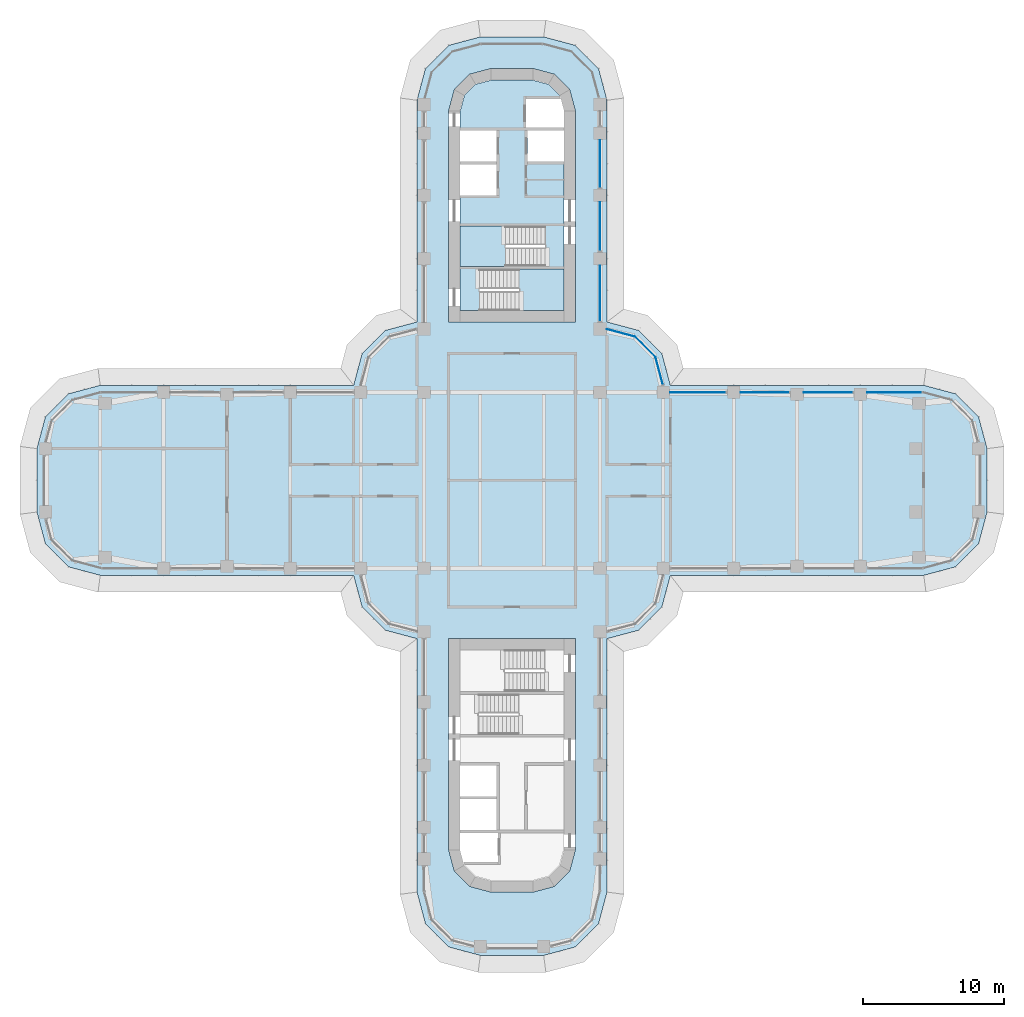
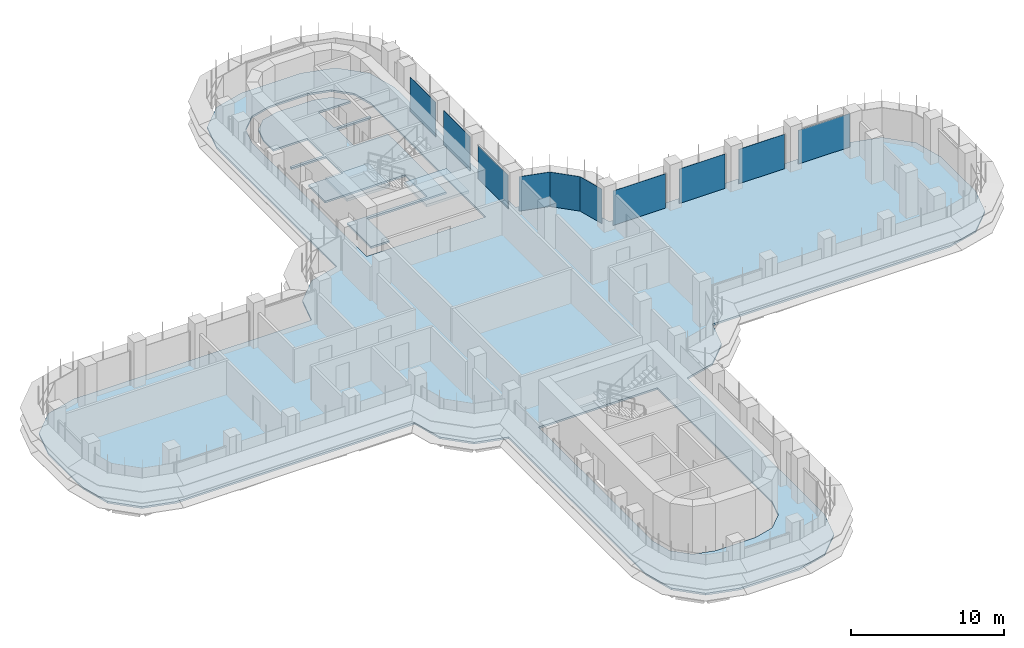
# One storey, part 14 of 21: 10 plates, 4 slabs, 7 elements without a shape of their own.
"""IFC4 building model written with IfcOpenShell, lengths in metres."""

from ifc_helpers import new_model, si_unit, direction, frame, origin, place, context, subcontext, project, spatial, polyline, outline, extrude, source, transform, mapped, material, layer, layer_set, type_object, element, aggregate, save


model = new_model("IFC4")

# Units and contexts
model_context = context("Model", 3, precision=1e-05, world=origin(), true_north=direction((0.0, 1.0)))
body_context = subcontext(model_context, "Body", "Model", "MODEL_VIEW")
ifc_project = project(units=[si_unit("LENGTHUNIT", "METRE"), si_unit("AREAUNIT", "SQUARE_METRE"), si_unit("VOLUMEUNIT", "CUBIC_METRE"), si_unit("PLANEANGLEUNIT", "RADIAN"), si_unit("MASSUNIT", "GRAM", prefix="KILO")], contexts=[model_context])

# Site, building, storey
site_placement = place(None, origin())
site = spatial("IfcSite", under=ifc_project, at=site_placement, CompositionType="ELEMENT")
building_placement = place(site_placement, origin())
building = spatial("IfcBuilding", under=site, at=building_placement, Name="Zarbagh Exchange Tower", CompositionType="ELEMENT")
storey_placement = place(building_placement, frame((0.0, 0.0, 117.0)))
storey = spatial("IfcBuildingStorey", under=building, at=storey_placement, Name="L27", CompositionType="ELEMENT", Elevation=117.0)

# Slabs
ifc_material_1 = material(Name="Concrete C40/50", Category="concrete")
ifc_layer_1 = layer(ifc_material_1, 0.14990234375)
ifc_layer_set_1 = layer_set([ifc_layer_1], Name="Composite floor slab 150 C40/50")
slab_type_1 = type_object("IfcSlabType", Name="Composite floor slab 150 C40/50", PredefinedType="FLOOR", material=ifc_layer_set_1)
slab_1_placement = place(storey_placement, frame((0.0, 0.0, -0.14990234375)))
element("IfcSlab", 1, at=slab_1_placement, inside=storey, type_object=slab_type_1, Name="S5 composite floor slab", PredefinedType="FLOOR", context=body_context, shape_type="SweptSolid", body=[
    extrude(outline(polyline([(-2.25, -33.75), (-4.5, -33.147216796875), (-6.147216796875, -31.5), (-6.75, -29.25), (-6.75, -11.25), (-9.0, -10.647216796875), (-10.647216796875, -9.0), (-11.25, -6.75), (-29.25, -6.75), (-31.5, -6.147216796875), (-33.147216796875, -4.5), (-33.75, -2.25), (-33.75, 2.25), (-33.147216796875, 4.5), (-31.5, 6.147216796875), (-29.25, 6.75), (-11.25, 6.75), (-10.647216796875, 9.0), (-9.0, 10.647216796875), (-6.75, 11.25), (-6.75, 27.0), (-6.147216796875, 29.25), (-4.5, 30.897216796875), (-2.25, 31.5), (2.25, 31.5), (4.5, 30.897216796875), (6.147216796875, 29.25), (6.75, 27.0), (6.75, 11.25), (9.0, 10.647216796875), (10.647216796875, 9.0), (11.25, 6.75), (29.25, 6.75), (31.5, 6.147216796875), (33.147216796875, 4.5), (33.75, 2.25), (33.75, -2.25), (33.147216796875, -4.5), (31.5, -6.147216796875), (29.25, -6.75), (11.25, -6.75), (10.647216796875, -9.0), (9.0, -10.647216796875), (6.75, -11.25), (6.75, -29.25), (6.147216796875, -31.5), (4.5, -33.147216796875), (2.25, -33.75), (-2.25, -33.75)]), holes=[polyline([(4.5, 11.25), (4.5, 26.25), (4.09814453125, 27.75), (3.0, 28.84814453125), (1.5, 29.25), (-1.5, 29.25), (-3.0, 28.84814453125), (-4.09814453125, 27.75), (-4.5, 26.25), (-4.5, 11.25), (4.5, 11.25)]), polyline([(-1.5, -29.25), (1.5, -29.25), (3.0, -28.84814453125), (4.09814453125, -27.75), (4.5, -26.25), (4.5, -11.25), (-4.5, -11.25), (-4.5, -26.25), (-4.09814453125, -27.75), (-3.0, -28.84814453125), (-1.5, -29.25)])]), origin(), (0.0, 0.0, 1.0), 0.14990234375),
])
ifc_layer_2 = layer(ifc_material_1, 0.14990234375)
ifc_layer_set_2 = layer_set([ifc_layer_2], Name="Core floor slab 150 C40/50")
slab_type_2 = type_object("IfcSlabType", Name="Core floor slab 150 C40/50", PredefinedType="FLOOR", material=ifc_layer_set_2)
slab_2_placement = place(storey_placement, frame((0.0, 0.0, -0.14990234375)))
element("IfcSlab", 2, at=slab_2_placement, inside=storey, type_object=slab_type_2, Name="S17 core N", PredefinedType="FLOOR", context=body_context, shape_type="SweptSolid", body=[
    extrude(outline(polyline([(-3.699951171875, 12.050048828125), (-3.699951171875, 15.199951171875), (2.35009765625, 15.199951171875), (2.35009765625, 18.050048828125), (-3.699951171875, 18.050048828125), (-3.699951171875, 20.25), (-1.10009765625, 20.25), (-1.10009765625, 22.449951171875), (-3.699951171875, 22.449951171875), (-3.699951171875, 22.64990234375), (-1.10009765625, 22.64990234375), (-1.10009765625, 24.85009765625), (-3.699951171875, 24.85009765625), (-3.699951171875, 26.144775390625), (-3.380859375, 27.3359375), (-2.5859375, 28.130859375), (-1.394775390625, 28.449951171875), (1.394775390625, 28.449951171875), (2.5859375, 28.130859375), (3.380859375, 27.3359375), (3.646484375, 26.3447265625), (3.444091796875, 27.10009765625), (1.0, 27.10009765625), (1.0, 25.050048828125), (3.699951171875, 25.050048828125), (3.699951171875, 24.85009765625), (1.10009765625, 24.85009765625), (1.10009765625, 22.64990234375), (3.699951171875, 22.64990234375), (3.699951171875, 15.0), (-2.300048828125, 15.0), (-2.300048828125, 12.050048828125), (-3.699951171875, 12.050048828125)])), origin(), (0.0, 0.0, 1.0), 0.14990234375),
])

# Stair, slab
stair_type = type_object("IfcStairType", Name="Exit stair two-flight half-turn", PredefinedType="HALF_TURN_STAIR", material=ifc_material_1)
stair_1_placement = place(storey_placement, origin())
stair_1 = element("IfcStair", 3, at=stair_1_placement, inside=storey, type_object=stair_type, Name="exit stair ST1", PredefinedType="HALF_TURN_STAIR")
ifc_layer_3 = layer(ifc_material_1, 0.199951171875)
ifc_layer_set_3 = layer_set([ifc_layer_3], Name="Stair landing 200 mm")
slab_type_3 = type_object("IfcSlabType", Name="Stair landing 200 mm", PredefinedType="LANDING", material=ifc_layer_set_3)
slab_3_placement = place(storey_placement, frame((0.0, 0.0, 1.699951171875)))
slab_3 = element("IfcSlab", 4, at=slab_3_placement, type_object=slab_type_3, Name="ST1 landing 1", PredefinedType="LANDING", context=body_context, shape_type="SweptSolid", body=[
    extrude(outline(polyline([(-0.449951171875, 18.050048828125), (-3.699951171875, 18.050048828125), (-3.699951171875, 15.199951171875), (-0.449951171875, 15.199951171875), (-0.449951171875, 18.050048828125)])), origin(), (0.0, 0.0, 1.0), 0.199951171875),
])
aggregate(stair_1, [slab_3])

stair_2_placement = place(storey_placement, origin())
stair_2 = element("IfcStair", 5, at=stair_2_placement, inside=storey, type_object=stair_type, Name="exit stair ST2", PredefinedType="HALF_TURN_STAIR")
slab_4_placement = place(storey_placement, frame((0.0, 0.0, 1.699951171875)))
slab_4 = element("IfcSlab", 6, at=slab_4_placement, type_object=slab_type_3, Name="ST2 landing 1", PredefinedType="LANDING", context=body_context, shape_type="SweptSolid", body=[
    extrude(outline(polyline([(0.5, 12.050048828125), (3.699951171875, 12.050048828125), (3.699951171875, 15.0), (0.5, 15.0), (0.5, 12.050048828125)])), origin(), (0.0, 0.0, 1.0), 0.199951171875),
])
aggregate(stair_2, [slab_4])

# Curtain wall, plate
ifc_material_2 = material(Name="Anodised aluminium frame and glazing", Category="aluminium")
curtain_wall_type = type_object("IfcCurtainWallType", Name="CWA Ribbon glazing, lower zones", PredefinedType="NOTDEFINED", material=ifc_material_2)
curtain_wall_1_placement = place(storey_placement, origin())
curtain_wall_1 = element("IfcCurtainWall", 7, at=curtain_wall_1_placement, inside=storey, type_object=curtain_wall_type, Name="CWA18 curtain wall", PredefinedType="NOTDEFINED")
ifc_material_3 = material(Name="Low-e double glazed unit, 6+12+6 mm")
ifc_layer_4 = layer(ifc_material_3, 0.028076171875)
ifc_layer_set_4 = layer_set([ifc_layer_4], Name="PAA Glazing panel, Low-e double glazed unit, 6+12+6 mm")
plate_type = type_object("IfcPlateType", Name="PAA Glazing panel, Low-e double glazed unit, 6+12+6 mm", PredefinedType="CURTAIN_PANEL", material=ifc_layer_set_4)
shared_shape_1 = source(origin(), body_context, "Body", "SweptSolid", [
    extrude(outline(polyline([(0.0, -0.013916015625), (2.061279296875, -0.013916015625), (2.061279296875, 0.013916015625), (0.0, 0.013916015625), (0.0, -0.013916015625)])), origin(), (0.0, 0.0, 1.0), 2.75),
])
placement = place(storey_placement, origin())
plate_1 = element("IfcPlate", 8, at=placement, type_object=plate_type, Name="CWA18 glazing panel 1.1", PredefinedType="CURTAIN_PANEL", context=body_context, shape_type="MappedRepresentation", body=[
    mapped(shared_shape_1, transform((10.19873046875, 8.7412109375, 0.0), x_axis=(-0.707106781187, 0.707106781187, 0.0), y_axis=(-0.707106781187, -0.707106781187, 0.0), z_axis=(0.0, 0.0, 1.0))),
])
aggregate(curtain_wall_1, [plate_1])

curtain_wall_2_placement = place(storey_placement, origin())
curtain_wall_2 = element("IfcCurtainWall", 9, at=curtain_wall_2_placement, inside=storey, type_object=curtain_wall_type, Name="CWA49 curtain wall", PredefinedType="NOTDEFINED")
shared_shape_2 = source(origin(), body_context, "Body", "SweptSolid", [
    extrude(outline(polyline([(0.0, -0.013916015625), (3.360107421875, -0.013916015625), (3.360107421875, 0.013916015625), (0.0, 0.013916015625), (0.0, -0.013916015625)])), origin(), (0.0, 0.0, 1.0), 2.75),
])
plate_2 = element("IfcPlate", 10, at=placement, type_object=plate_type, Name="CWA49 glazing panel 3.1", PredefinedType="CURTAIN_PANEL", context=body_context, shape_type="MappedRepresentation", body=[
    mapped(shared_shape_2, transform((6.25, 20.800048828125, 0.0), x_axis=(0.0, 1.0, 0.0), y_axis=(-1.0, 0.0, 0.0), z_axis=(0.0, 0.0, 1.0))),
])

# Curtain wall, plates
curtain_wall_3_placement = place(storey_placement, origin())
curtain_wall_3 = element("IfcCurtainWall", 11, at=curtain_wall_3_placement, inside=storey, type_object=curtain_wall_type, Name="CWA16 curtain wall", PredefinedType="NOTDEFINED")
shared_shape_3 = source(origin(), body_context, "Body", "SweptSolid", [
    extrude(outline(polyline([(0.0, -0.013916015625), (3.4599609375, -0.013916015625), (3.4599609375, 0.013916015625), (0.0, 0.013916015625), (0.0, -0.013916015625)])), origin(), (0.0, 0.0, 1.0), 2.75),
])
plate_3 = element("IfcPlate", 12, at=placement, type_object=plate_type, Name="CWA16 glazing panel 2.1", PredefinedType="CURTAIN_PANEL", context=body_context, shape_type="MappedRepresentation", body=[
    mapped(shared_shape_3, transform((24.199951171875, 6.25, 0.0), x_axis=(-1.0, 0.0, 0.0), y_axis=(0.0, -1.0, 0.0), z_axis=(0.0, 0.0, 1.0))),
])
plate_4 = element("IfcPlate", 13, at=placement, type_object=plate_type, Name="CWA16 glazing panel 3.1", PredefinedType="CURTAIN_PANEL", context=body_context, shape_type="MappedRepresentation", body=[
    mapped(shared_shape_3, transform((19.699951171875, 6.25, 0.0), x_axis=(-1.0, 0.0, 0.0), y_axis=(0.0, -1.0, 0.0), z_axis=(0.0, 0.0, 1.0))),
])

# Plate
plate_5 = element("IfcPlate", 14, at=placement, type_object=plate_type, Name="CWA49 glazing panel 2.1", PredefinedType="CURTAIN_PANEL", context=body_context, shape_type="MappedRepresentation", body=[
    mapped(shared_shape_3, transform((6.25, 16.300048828125, 0.0), x_axis=(0.0, 1.0, 0.0), y_axis=(-1.0, 0.0, 0.0), z_axis=(0.0, 0.0, 1.0))),
])

shared_shape_4 = source(origin(), body_context, "Body", "SweptSolid", [
    extrude(outline(polyline([(0.0, -0.013916015625), (3.9599609375, -0.013916015625), (3.9599609375, 0.013916015625), (0.0, 0.013916015625), (0.0, -0.013916015625)])), origin(), (0.0, 0.0, 1.0), 2.75),
])
plate_6 = element("IfcPlate", 15, at=placement, type_object=plate_type, Name="CWA16 glazing panel 4.1", PredefinedType="CURTAIN_PANEL", context=body_context, shape_type="MappedRepresentation", body=[
    mapped(shared_shape_4, transform((15.199951171875, 6.25, 0.0), x_axis=(-1.0, 0.0, 0.0), y_axis=(0.0, -1.0, 0.0), z_axis=(0.0, 0.0, 1.0))),
])

# Curtain wall, plate
curtain_wall_4_placement = place(storey_placement, origin())
curtain_wall_4 = element("IfcCurtainWall", 16, at=curtain_wall_4_placement, inside=storey, type_object=curtain_wall_type, Name="CWA17 curtain wall", PredefinedType="NOTDEFINED")
shared_shape_5 = source(origin(), body_context, "Body", "SweptSolid", [
    extrude(outline(polyline([(0.0, -0.013916015625), (2.01171875, -0.013916015625), (2.01171875, 0.013916015625), (0.0, 0.013916015625), (0.0, -0.013916015625)])), origin(), (0.0, 0.0, 1.0), 2.75),
])
plate_7 = element("IfcPlate", 17, at=placement, type_object=plate_type, Name="CWA17 glazing panel 1.1", PredefinedType="CURTAIN_PANEL", context=body_context, shape_type="MappedRepresentation", body=[
    mapped(shared_shape_5, transform((10.719482421875, 6.7978515625, 0.0), x_axis=(-0.258824779902, 0.965924289636, 0.0), y_axis=(-0.965924289636, -0.258824779902, 0.0), z_axis=(0.0, 0.0, 1.0))),
])
aggregate(curtain_wall_4, [plate_7])

curtain_wall_5_placement = place(storey_placement, origin())
curtain_wall_5 = element("IfcCurtainWall", 18, at=curtain_wall_5_placement, inside=storey, type_object=curtain_wall_type, Name="CWA19 curtain wall", PredefinedType="NOTDEFINED")
shared_shape_6 = source(origin(), body_context, "Body", "SweptSolid", [
    extrude(outline(polyline([(0.0, -0.013916015625), (2.07177734375, -0.013916015625), (2.07177734375, 0.013916015625), (0.0, 0.013916015625), (0.0, -0.013916015625)])), origin(), (0.0, 0.0, 1.0), 2.75),
])
plate_8 = element("IfcPlate", 19, at=placement, type_object=plate_type, Name="CWA19 glazing panel 1.1", PredefinedType="CURTAIN_PANEL", context=body_context, shape_type="MappedRepresentation", body=[
    mapped(shared_shape_6, transform((8.7412109375, 10.19873046875, 0.0), x_axis=(-0.965924289636, 0.258824779902, 0.0), y_axis=(-0.258824779902, -0.965924289636, 0.0), z_axis=(0.0, 0.0, 1.0))),
])
aggregate(curtain_wall_5, [plate_8])

# Plate
shared_shape_7 = source(origin(), body_context, "Body", "SweptSolid", [
    extrude(outline(polyline([(0.0, -0.013916015625), (3.9599609375, -0.013916015625), (3.9599609375, 0.013916015625), (0.0, 0.013916015625), (0.0, -0.013916015625)])), origin(), (0.0, 0.0, 1.0), 2.68994140625),
])
plate_9 = element("IfcPlate", 20, at=placement, type_object=plate_type, Name="CWA49 glazing panel 1.1", PredefinedType="CURTAIN_PANEL", context=body_context, shape_type="MappedRepresentation", body=[
    mapped(shared_shape_7, transform((6.25, 11.300048828125, 0.0), x_axis=(0.0, 1.0, 0.0), y_axis=(-1.0, 0.0, 0.0), z_axis=(0.0, 0.0, 1.0))),
])

aggregate(curtain_wall_2, [plate_9, plate_5, plate_2])

shared_shape_8 = source(origin(), body_context, "Body", "SweptSolid", [
    extrude(outline(polyline([(0.0, -0.013916015625), (3.88427734375, -0.013916015625), (3.88427734375, 0.013916015625), (0.0, 0.013916015625), (0.0, -0.013916015625)])), origin(), (0.0, 0.0, 1.0), 2.68994140625),
])
plate_10 = element("IfcPlate", 21, at=placement, type_object=plate_type, Name="CWA16 glazing panel 1.1", PredefinedType="CURTAIN_PANEL", context=body_context, shape_type="MappedRepresentation", body=[
    mapped(shared_shape_8, transform((29.124267578125, 6.25, 0.0), x_axis=(-1.0, 0.0, 0.0), y_axis=(0.0, -1.0, 0.0), z_axis=(0.0, 0.0, 1.0))),
])

aggregate(curtain_wall_3, [plate_10, plate_3, plate_4, plate_6])

save(model, "model.ifc")
